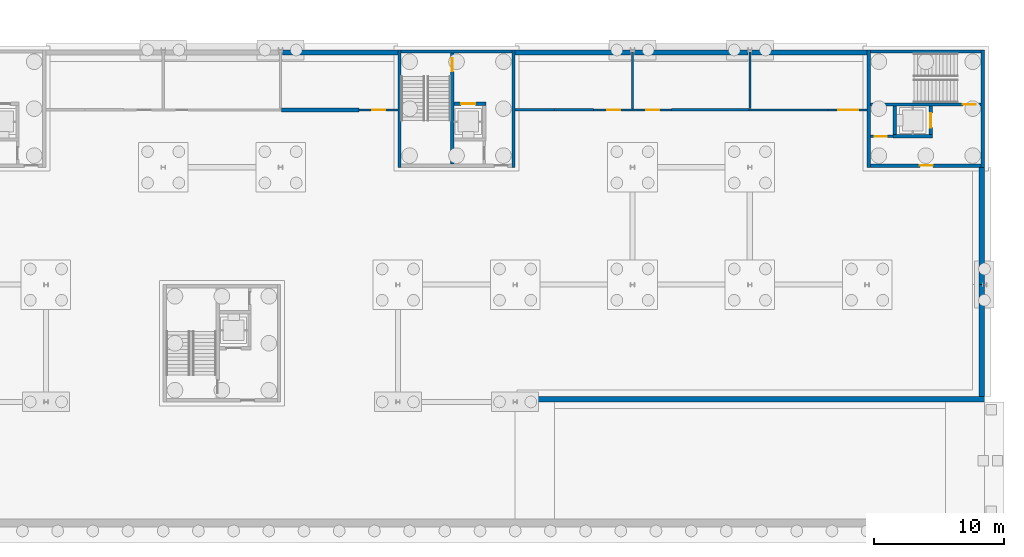
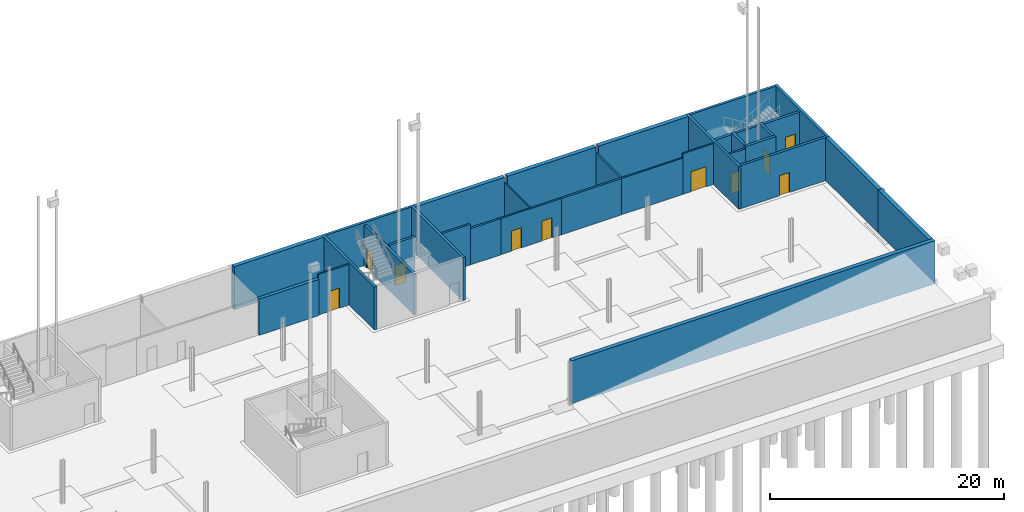
# One storey, part 18 of 41: 31 walls, 10 doors, 10 openings.
"""IFC4 building model written with IfcOpenShell, lengths in metres."""

from ifc_helpers import new_model, si_unit, direction, frame, frame_2d, origin, place, context, subcontext, project, spatial, rectangle, extrude, material, layer, layer_set, type_object, element, fill, save


model = new_model("IFC4")

# Units and contexts
model_context = context("Model", 3, precision=1e-05, world=origin(), true_north=direction((0.0, 1.0)))
body_context = subcontext(model_context, "Body", "Model", "MODEL_VIEW")
ifc_project = project(units=[si_unit("LENGTHUNIT", "METRE"), si_unit("AREAUNIT", "SQUARE_METRE"), si_unit("VOLUMEUNIT", "CUBIC_METRE"), si_unit("PLANEANGLEUNIT", "RADIAN"), si_unit("MASSUNIT", "GRAM", prefix="KILO")], contexts=[model_context])

# Site, building, storey
site_placement = place(None, origin())
site = spatial("IfcSite", under=ifc_project, at=site_placement, CompositionType="ELEMENT")
building_placement = place(site_placement, origin())
building = spatial("IfcBuilding", under=site, at=building_placement, Name="Corbel Yard City Hall", CompositionType="ELEMENT")
storey_placement = place(building_placement, frame((0.0, 0.0, -4.5)))
storey = spatial("IfcBuildingStorey", under=building, at=storey_placement, Name="B1", CompositionType="ELEMENT", Elevation=-4.5)

# Walls
ifc_material_1 = material(Name="Concrete N50 (50 MPa)", Category="concrete")
ifc_layer_1 = layer(ifc_material_1, 0.25)
ifc_layer_set_1 = layer_set([ifc_layer_1], Name="Concrete N50 (50 MPa)")
wall_type_1 = type_object("IfcWallType", Name="Core cell wall 250", PredefinedType="SHEAR", material=ifc_layer_set_1)
for number, where, z_axis, x_axis, name in (
    (1, (135.125, 108.0, 0.0), (0.0, 0.0, 1.0), (0.0, 1.0, 0.0), "Core PC-N3 west wall"),
    (2, (143.875, 108.0, 0.0), (0.0, 0.0, 1.0), (0.0, 1.0, 0.0), "Core PC-N3 east wall"),
):
    element("IfcWall", number, at=place(storey_placement, frame(where, z_axis=z_axis, x_axis=x_axis)), inside=storey, type_object=wall_type_1, Name=name, PredefinedType="SHEAR", context=body_context, shape_type="SweptSolid", body=[
        extrude(rectangle(XDim=9.0, YDim=0.25, at=frame_2d((4.5, 0.0))), origin(), (0.0, 0.0, 1.0), 4.5),
    ])
wall_1_placement = place(storey_placement, frame((135.25, 116.875, 0.0), z_axis=(0.0, 0.0, 1.0), x_axis=(1.0, 0.0, 0.0)))
element("IfcWall", 3, at=wall_1_placement, inside=storey, type_object=wall_type_1, Name="Core PC-N3 north wall", PredefinedType="SHEAR", context=body_context, shape_type="SweptSolid", body=[
    extrude(rectangle(XDim=8.5, YDim=0.25, at=frame_2d((4.25, 0.0))), origin(), (0.0, 0.0, 1.0), 4.5),
])
for number, where, z_axis, x_axis, name in (
    (4, (171.125, 108.0, 0.0), (0.0, 0.0, 1.0), (0.0, 1.0, 0.0), "Core PC-N4 west wall"),
    (5, (179.875, 108.0, 0.0), (0.0, 0.0, 1.0), (0.0, 1.0, 0.0), "Core PC-N4 east wall"),
):
    element("IfcWall", number, at=place(storey_placement, frame(where, z_axis=z_axis, x_axis=x_axis)), inside=storey, type_object=wall_type_1, Name=name, PredefinedType="SHEAR", context=body_context, shape_type="SweptSolid", body=[
        extrude(rectangle(XDim=9.0, YDim=0.25, at=frame_2d((4.5, 0.0))), origin(), (0.0, 0.0, 1.0), 4.5),
    ])

# Wall, opening, door
wall_2_placement = place(storey_placement, frame((171.25, 108.125, 0.0), z_axis=(0.0, 0.0, 1.0), x_axis=(1.0, 0.0, 0.0)))
wall_2 = element("IfcWall", 6, at=wall_2_placement, inside=storey, type_object=wall_type_1, Name="Core PC-N4 south wall", PredefinedType="SHEAR", context=body_context, shape_type="SweptSolid", body=[
    extrude(rectangle(XDim=8.5, YDim=0.25, at=frame_2d((4.25, 0.0))), origin(), (0.0, 0.0, 1.0), 4.5),
])
opening_1_placement = place(wall_2_placement, frame((3.800048828125, 0.0, 0.0)))
opening_1 = element("IfcOpeningElement", 7, at=opening_1_placement, cuts=wall_2, Name="Opening B1-022", PredefinedType="OPENING", context=body_context, shape_type="SweptSolid", body=[
    extrude(rectangle(XDim=1.0, YDim=2.10009765625, at=frame_2d((0.5, 1.050048828125))), frame((0.0, 0.135009765625, 0.0), z_axis=(0.0, -1.0, 0.0), x_axis=(1.0, 0.0, 0.0)), (0.0, 0.0, 1.0), 0.27001953125),
])
ifc_material_2 = material(Name="Steel Grade G250", Category="steel")
door_type_1 = type_object("IfcDoorType", Name="FS1", OperationType="SINGLE_SWING_LEFT", PredefinedType="DOOR", material=ifc_material_2)
door_1_placement = place(opening_1_placement, origin())
door_1 = element("IfcDoor", 8, at=door_1_placement, inside=storey, type_object=door_type_1, Name="Door Lift Lobby", OperationType="SINGLE_SWING_RIGHT", OverallHeight=2.10009765625, OverallWidth=1.0, PredefinedType="DOOR", context=body_context, shape_type="SweptSolid", body=[
    extrude(rectangle(XDim=1.0, YDim=2.10009765625, at=frame_2d((0.5, 1.050048828125))), frame((0.0, 0.02490234375, 0.0), z_axis=(0.0, -1.0, 0.0), x_axis=(1.0, 0.0, 0.0)), (0.0, 0.0, 1.0), 0.050048828125),
])
fill(opening_1, door_1)

# Wall
wall_3_placement = place(storey_placement, frame((171.25, 116.875, 0.0), z_axis=(0.0, 0.0, 1.0), x_axis=(1.0, 0.0, 0.0)))
element("IfcWall", 9, at=wall_3_placement, inside=storey, type_object=wall_type_1, Name="Core PC-N4 north wall", PredefinedType="SHEAR", context=body_context, shape_type="SweptSolid", body=[
    extrude(rectangle(XDim=8.5, YDim=0.25, at=frame_2d((4.25, 0.0))), origin(), (0.0, 0.0, 1.0), 4.5),
])

# Wall, opening, door
ifc_material_3 = material(Name="Concrete N40 (40 MPa)", Category="concrete")
ifc_layer_2 = layer(ifc_material_3, 0.25)
ifc_layer_set_2 = layer_set([ifc_layer_2], Name="Concrete N40 (40 MPa)")
wall_type_2 = type_object("IfcWallType", Name="IW2", PredefinedType="SOLIDWALL", material=ifc_layer_set_2)
wall_4_placement = place(storey_placement, frame((139.175048828125, 116.75, 0.0), z_axis=(0.0, 0.0, 1.0), x_axis=(0.0, -1.0, 0.0)))
wall_4 = element("IfcWall", 10, at=wall_4_placement, inside=storey, type_object=wall_type_2, Name="Stair enclosure wall", PredefinedType="SOLIDWALL", context=body_context, shape_type="SweptSolid", body=[
    extrude(rectangle(XDim=8.5, YDim=0.25, at=frame_2d((4.25, 0.0))), origin(), (0.0, 0.0, 1.0), 4.25),
])
opening_2_placement = place(wall_4_placement, frame((0.39990234375, 0.0, 0.0)))
opening_2 = element("IfcOpeningElement", 11, at=opening_2_placement, cuts=wall_4, Name="Opening B1-011", PredefinedType="OPENING", context=body_context, shape_type="SweptSolid", body=[
    extrude(rectangle(XDim=1.0, YDim=2.10009765625, at=frame_2d((0.5, 1.050048828125))), frame((0.0, 0.135009765625, 0.0), z_axis=(0.0, -1.0, 0.0), x_axis=(1.0, 0.0, 0.0)), (0.0, 0.0, 1.0), 0.27001953125),
])
door_2_placement = place(opening_2_placement, frame((1.0, 0.0, 0.0), z_axis=(0.0, 0.0, 1.0), x_axis=(-1.0, 0.0, 0.0)))
door_2 = element("IfcDoor", 12, at=door_2_placement, inside=storey, type_object=door_type_1, Name="Door Exit Stair 18", OperationType="SINGLE_SWING_RIGHT", OverallHeight=2.10009765625, OverallWidth=1.0, PredefinedType="DOOR", context=body_context, shape_type="SweptSolid", body=[
    extrude(rectangle(XDim=1.0, YDim=2.10009765625, at=frame_2d((0.5, 1.050048828125))), frame((0.0, 0.02490234375, 0.0), z_axis=(0.0, -1.0, 0.0), x_axis=(1.0, 0.0, 0.0)), (0.0, 0.0, 1.0), 0.050048828125),
])
fill(opening_2, door_2)

wall_5_placement = place(storey_placement, frame((139.300048828125, 112.875, 0.0), z_axis=(0.0, 0.0, 1.0), x_axis=(1.0, 0.0, 0.0)))
wall_5 = element("IfcWall", 13, at=wall_5_placement, inside=storey, type_object=wall_type_2, Name="Lift LP18 shaft wall", PredefinedType="SOLIDWALL", context=body_context, shape_type="SweptSolid", body=[
    extrude(rectangle(XDim=2.449951171875, YDim=0.25, at=frame_2d((1.22509765625, 0.0))), origin(), (0.0, 0.0, 1.0), 4.5),
])
opening_3_placement = place(wall_5_placement, frame((0.550048828125, 0.0, 0.0)))
opening_3 = element("IfcOpeningElement", 14, at=opening_3_placement, cuts=wall_5, Name="Opening B1-003", PredefinedType="OPENING", context=body_context, shape_type="SweptSolid", body=[
    extrude(rectangle(XDim=1.10009765625, YDim=2.10009765625, at=frame_2d((0.550048828125, 1.050048828125))), frame((0.0, 0.135009765625, 0.0), z_axis=(0.0, -1.0, 0.0), x_axis=(1.0, 0.0, 0.0)), (0.0, 0.0, 1.0), 0.27001953125),
])
ifc_material_4 = material(Name="Stainless steel Grade 316", Category="steel")
door_type_2 = type_object("IfcDoorType", Name="LD1", OperationType="DOUBLE_DOOR_SLIDING", PredefinedType="DOOR", material=ifc_material_4)
door_3_placement = place(opening_3_placement, origin())
door_3 = element("IfcDoor", 15, at=door_3_placement, inside=storey, type_object=door_type_2, Name="Lift LP18 landing door", OperationType="DOUBLE_DOOR_SLIDING", OverallHeight=2.10009765625, OverallWidth=1.10009765625, PredefinedType="DOOR", context=body_context, shape_type="SweptSolid", body=[
    extrude(rectangle(XDim=1.10009765625, YDim=2.10009765625, at=frame_2d((0.550048828125, 1.050048828125))), frame((0.0, 0.02490234375, 0.0), z_axis=(0.0, -1.0, 0.0), x_axis=(1.0, 0.0, 0.0)), (0.0, 0.0, 1.0), 0.050048828125),
])
fill(opening_3, door_3)

wall_6_placement = place(storey_placement, frame((179.75, 112.824951171875, 0.0), z_axis=(0.0, 0.0, 1.0), x_axis=(-1.0, 0.0, 0.0)))
wall_6 = element("IfcWall", 16, at=wall_6_placement, inside=storey, type_object=wall_type_2, Name="Stair enclosure wall", PredefinedType="SOLIDWALL", context=body_context, shape_type="SweptSolid", body=[
    extrude(rectangle(XDim=8.5, YDim=0.25, at=frame_2d((4.25, 0.0))), origin(), (0.0, 0.0, 1.0), 4.25),
])
opening_4_placement = place(wall_6_placement, frame((0.39990234375, 0.0, 0.0)))
opening_4 = element("IfcOpeningElement", 17, at=opening_4_placement, cuts=wall_6, Name="Opening B1-013", PredefinedType="OPENING", context=body_context, shape_type="SweptSolid", body=[
    extrude(rectangle(XDim=1.0, YDim=2.10009765625, at=frame_2d((0.5, 1.050048828125))), frame((0.0, 0.135009765625, 0.0), z_axis=(0.0, -1.0, 0.0), x_axis=(1.0, 0.0, 0.0)), (0.0, 0.0, 1.0), 0.27001953125),
])
door_4_placement = place(opening_4_placement, frame((1.0, 0.0, 0.0), z_axis=(0.0, 0.0, 1.0), x_axis=(-1.0, 0.0, 0.0)))
door_4 = element("IfcDoor", 18, at=door_4_placement, inside=storey, type_object=door_type_1, Name="Door Exit Stair 19", OperationType="SINGLE_SWING_RIGHT", OverallHeight=2.10009765625, OverallWidth=1.0, PredefinedType="DOOR", context=body_context, shape_type="SweptSolid", body=[
    extrude(rectangle(XDim=1.0, YDim=2.10009765625, at=frame_2d((0.5, 1.050048828125))), frame((0.0, 0.02490234375, 0.0), z_axis=(0.0, -1.0, 0.0), x_axis=(1.0, 0.0, 0.0)), (0.0, 0.0, 1.0), 0.050048828125),
])
fill(opening_4, door_4)

# Walls
wall_7_placement = place(storey_placement, frame((173.0, 110.375, 0.0), z_axis=(0.0, 0.0, 1.0), x_axis=(1.0, 0.0, 0.0)))
element("IfcWall", 19, at=wall_7_placement, inside=storey, type_object=wall_type_2, Name="Lift LP19 shaft wall", PredefinedType="SOLIDWALL", context=body_context, shape_type="SweptSolid", body=[
    extrude(rectangle(XDim=3.0, YDim=0.25, at=frame_2d((1.5, 0.0))), origin(), (0.0, 0.0, 1.0), 4.5),
])
wall_8_placement = place(storey_placement, frame((173.125, 110.5, 0.0), z_axis=(0.0, 0.0, 1.0), x_axis=(0.0, 1.0, 0.0)))
element("IfcWall", 20, at=wall_8_placement, inside=storey, type_object=wall_type_2, Name="Lift LP19 shaft wall", PredefinedType="SOLIDWALL", context=body_context, shape_type="SweptSolid", body=[
    extrude(rectangle(XDim=2.199951171875, YDim=0.25, at=frame_2d((1.10009765625, 0.0))), origin(), (0.0, 0.0, 1.0), 4.5),
])

# Wall, opening, door
wall_9_placement = place(storey_placement, frame((175.875, 110.5, 0.0), z_axis=(0.0, 0.0, 1.0), x_axis=(0.0, 1.0, 0.0)))
wall_9 = element("IfcWall", 21, at=wall_9_placement, inside=storey, type_object=wall_type_2, Name="Lift LP19 shaft wall", PredefinedType="SOLIDWALL", context=body_context, shape_type="SweptSolid", body=[
    extrude(rectangle(XDim=2.199951171875, YDim=0.25, at=frame_2d((1.10009765625, 0.0))), origin(), (0.0, 0.0, 1.0), 4.5),
])
opening_5_placement = place(wall_9_placement, frame((0.550048828125, 0.0, 0.0)))
opening_5 = element("IfcOpeningElement", 22, at=opening_5_placement, cuts=wall_9, Name="Opening B1-004", PredefinedType="OPENING", context=body_context, shape_type="SweptSolid", body=[
    extrude(rectangle(XDim=1.10009765625, YDim=2.10009765625, at=frame_2d((0.550048828125, 1.050048828125))), frame((0.0, 0.135009765625, 0.0), z_axis=(0.0, -1.0, 0.0), x_axis=(1.0, 0.0, 0.0)), (0.0, 0.0, 1.0), 0.27001953125),
])
door_5_placement = place(opening_5_placement, origin())
door_5 = element("IfcDoor", 23, at=door_5_placement, inside=storey, type_object=door_type_2, Name="Lift LP19 landing door", OperationType="DOUBLE_DOOR_SLIDING", OverallHeight=2.10009765625, OverallWidth=1.10009765625, PredefinedType="DOOR", context=body_context, shape_type="SweptSolid", body=[
    extrude(rectangle(XDim=1.10009765625, YDim=2.10009765625, at=frame_2d((0.550048828125, 1.050048828125))), frame((0.0, 0.02490234375, 0.0), z_axis=(0.0, -1.0, 0.0), x_axis=(1.0, 0.0, 0.0)), (0.0, 0.0, 1.0), 0.050048828125),
])
fill(opening_5, door_5)

# Walls
ifc_material_5 = material(Name="Gypsum plasterboard", Category="gypsum")
ifc_layer_3 = layer(ifc_material_5, 0.028076171875)
ifc_material_6 = material(Name="Steel Grade G550 (550 MPa yield)", Category="steel")
ifc_layer_4 = layer(ifc_material_6, 0.06396484375)
ifc_layer_5 = layer(ifc_material_5, 0.028076171875)
ifc_layer_set_3 = layer_set([ifc_layer_3, ifc_layer_4, ifc_layer_5], Name="Steel Grade G550 (550 MPa yield)")
wall_type_3 = type_object("IfcWallType", Name="PT1", PredefinedType="PARTITIONING", material=ifc_layer_set_3)
wall_10_placement = place(storey_placement, frame((153.0, 112.47998046875, 0.0), z_axis=(0.0, 0.0, 1.0), x_axis=(0.0, 1.0, 0.0)))
element("IfcWall", 24, at=wall_10_placement, inside=storey, type_object=wall_type_3, Name="Partition", PredefinedType="PARTITIONING", context=body_context, shape_type="SweptSolid", body=[
    extrude(rectangle(XDim=4.3564453125, YDim=0.1201171875, at=frame_2d((2.17822265625, 0.0))), origin(), (0.0, 0.0, 1.0), 3.7900390625),
])
ifc_layer_6 = layer(ifc_material_5, 0.031982421875)
ifc_layer_7 = layer(ifc_material_6, 0.135986328125)
ifc_layer_8 = layer(ifc_material_5, 0.031982421875)
ifc_layer_set_4 = layer_set([ifc_layer_6, ifc_layer_7, ifc_layer_8], Name="Steel Grade G550 (550 MPa yield)")
wall_type_4 = type_object("IfcWallType", Name="PT2", PredefinedType="PARTITIONING", material=ifc_layer_set_4)
wall_11_placement = place(storey_placement, frame((144.0, 112.39990234375, 0.0), z_axis=(0.0, 0.0, 1.0), x_axis=(1.0, 0.0, 0.0)))
element("IfcWall", 25, at=wall_11_placement, inside=storey, type_object=wall_type_4, Name="Acoustic wall", PredefinedType="PARTITIONING", context=body_context, shape_type="SweptSolid", body=[
    extrude(rectangle(XDim=3.0, YDim=0.199951171875, at=frame_2d((1.5, 0.0))), origin(), (0.0, 0.0, 1.0), 4.25),
])
wall_12_placement = place(storey_placement, frame((147.0, 112.39990234375, 0.0), z_axis=(0.0, 0.0, 1.0), x_axis=(1.0, 0.0, 0.0)))
element("IfcWall", 26, at=wall_12_placement, inside=storey, type_object=wall_type_4, Name="Acoustic wall", PredefinedType="PARTITIONING", context=body_context, shape_type="SweptSolid", body=[
    extrude(rectangle(XDim=3.0, YDim=0.199951171875, at=frame_2d((1.5, 0.0))), origin(), (0.0, 0.0, 1.0), 3.7900390625),
])
wall_13_placement = place(storey_placement, frame((156.0, 112.39990234375, 0.0), z_axis=(0.0, 0.0, 1.0), x_axis=(1.0, 0.0, 0.0)))
element("IfcWall", 27, at=wall_13_placement, inside=storey, type_object=wall_type_4, Name="Acoustic wall", PredefinedType="PARTITIONING", context=body_context, shape_type="SweptSolid", body=[
    extrude(rectangle(XDim=5.919921875, YDim=0.199951171875, at=frame_2d((2.9599609375, 0.0))), origin(), (0.0, 0.0, 1.0), 3.7900390625),
])
ifc_layer_9 = layer(ifc_material_5, 0.031982421875)
ifc_layer_10 = layer(ifc_material_6, 0.260986328125)
ifc_layer_11 = layer(ifc_material_5, 0.031982421875)
ifc_layer_set_5 = layer_set([ifc_layer_9, ifc_layer_10, ifc_layer_11], Name="Steel Grade G550 (550 MPa yield)")
wall_type_5 = type_object("IfcWallType", Name="PT20", PredefinedType="PARTITIONING", material=ifc_layer_set_5)
wall_14_placement = place(storey_placement, frame((126.080078125, 112.39990234375, 0.0), z_axis=(0.0, 0.0, 1.0), x_axis=(1.0, 0.0, 0.0)))
element("IfcWall", 28, at=wall_14_placement, inside=storey, type_object=wall_type_5, Name="Acoustic partition", PredefinedType="PARTITIONING", context=body_context, shape_type="SweptSolid", body=[
    extrude(rectangle(XDim=5.919921875, YDim=0.324951171875, at=frame_2d((2.9599609375, 0.0))), origin(), (0.0, 0.0, 1.0), 3.7900390625),
])

# Wall, opening, door
ifc_layer_12 = layer(ifc_material_5, 0.031982421875)
ifc_layer_13 = layer(ifc_material_6, 0.095947265625)
ifc_layer_14 = layer(ifc_material_5, 0.031982421875)
ifc_layer_set_6 = layer_set([ifc_layer_12, ifc_layer_13, ifc_layer_14], Name="Steel Grade G550 (550 MPa yield)")
wall_type_6 = type_object("IfcWallType", Name="PT3", PredefinedType="PARTITIONING", material=ifc_layer_set_6)
wall_15_placement = place(storey_placement, frame((132.0, 112.39990234375, 0.0), z_axis=(0.0, 0.0, 1.0), x_axis=(1.0, 0.0, 0.0)))
wall_15 = element("IfcWall", 29, at=wall_15_placement, inside=storey, type_object=wall_type_6, Name="Fire-resisting wall", PredefinedType="PARTITIONING", context=body_context, shape_type="SweptSolid", body=[
    extrude(rectangle(XDim=3.0, YDim=0.159912109375, at=frame_2d((1.5, 0.0))), origin(), (0.0, 0.0, 1.0), 4.25),
])
opening_6_placement = place(wall_15_placement, frame((1.050048828125, 0.0, 0.0)))
opening_6 = element("IfcOpeningElement", 30, at=opening_6_placement, cuts=wall_15, Name="Opening B1-045", PredefinedType="OPENING", context=body_context, shape_type="SweptSolid", body=[
    extrude(rectangle(XDim=1.0, YDim=2.10009765625, at=frame_2d((0.5, 1.050048828125))), frame((0.0, 0.08984375, 0.0), z_axis=(0.0, -1.0, 0.0), x_axis=(1.0, 0.0, 0.0)), (0.0, 0.0, 1.0), 0.179931640625),
])
door_type_3 = type_object("IfcDoorType", Name="FD1", OperationType="SINGLE_SWING_LEFT", PredefinedType="DOOR", material=ifc_material_2)
door_6_placement = place(opening_6_placement, origin())
door_6 = element("IfcDoor", 31, at=door_6_placement, inside=storey, type_object=door_type_3, Name="Door Basement Operations Office", OperationType="SINGLE_SWING_RIGHT", OverallHeight=2.10009765625, OverallWidth=1.0, PredefinedType="DOOR", context=body_context, shape_type="SweptSolid", body=[
    extrude(rectangle(XDim=1.0, YDim=2.10009765625, at=frame_2d((0.5, 1.050048828125))), frame((0.0, 0.02490234375, 0.0), z_axis=(0.0, -1.0, 0.0), x_axis=(1.0, 0.0, 0.0)), (0.0, 0.0, 1.0), 0.050048828125),
])
fill(opening_6, door_6)

# Wall, openings, doors
wall_16_placement = place(storey_placement, frame((150.0, 112.39990234375, 0.0), z_axis=(0.0, 0.0, 1.0), x_axis=(1.0, 0.0, 0.0)))
wall_16 = element("IfcWall", 32, at=wall_16_placement, inside=storey, type_object=wall_type_6, Name="Fire-resisting wall", PredefinedType="PARTITIONING", context=body_context, shape_type="SweptSolid", body=[
    extrude(rectangle(XDim=6.0, YDim=0.159912109375, at=frame_2d((3.0, 0.0))), origin(), (0.0, 0.0, 1.0), 3.7900390625),
])
opening_7_placement = place(wall_16_placement, frame((1.050048828125, 0.0, 0.0)))
opening_7 = element("IfcOpeningElement", 33, at=opening_7_placement, cuts=wall_16, Name="Opening B1-046", PredefinedType="OPENING", context=body_context, shape_type="SweptSolid", body=[
    extrude(rectangle(XDim=1.0, YDim=2.10009765625, at=frame_2d((0.5, 1.050048828125))), frame((0.0, 0.08984375, 0.0), z_axis=(0.0, -1.0, 0.0), x_axis=(1.0, 0.0, 0.0)), (0.0, 0.0, 1.0), 0.179931640625),
])
opening_8_placement = place(wall_16_placement, frame((4.050048828125, 0.0, 0.0)))
opening_8 = element("IfcOpeningElement", 34, at=opening_8_placement, cuts=wall_16, Name="Opening B1-047", PredefinedType="OPENING", context=body_context, shape_type="SweptSolid", body=[
    extrude(rectangle(XDim=1.0, YDim=2.10009765625, at=frame_2d((0.5, 1.050048828125))), frame((0.0, 0.08984375, 0.0), z_axis=(0.0, -1.0, 0.0), x_axis=(1.0, 0.0, 0.0)), (0.0, 0.0, 1.0), 0.179931640625),
])
door_7_placement = place(opening_7_placement, origin())
door_7 = element("IfcDoor", 35, at=door_7_placement, inside=storey, type_object=door_type_3, Name="Door Electrical Meter Room", OperationType="SINGLE_SWING_RIGHT", OverallHeight=2.10009765625, OverallWidth=1.0, PredefinedType="DOOR", context=body_context, shape_type="SweptSolid", body=[
    extrude(rectangle(XDim=1.0, YDim=2.10009765625, at=frame_2d((0.5, 1.050048828125))), frame((0.0, 0.02490234375, 0.0), z_axis=(0.0, -1.0, 0.0), x_axis=(1.0, 0.0, 0.0)), (0.0, 0.0, 1.0), 0.050048828125),
])
fill(opening_7, door_7)
door_8_placement = place(opening_8_placement, origin())
door_8 = element("IfcDoor", 36, at=door_8_placement, inside=storey, type_object=door_type_3, Name="Door Basement Waste Room", OperationType="SINGLE_SWING_LEFT", OverallHeight=2.10009765625, OverallWidth=1.0, PredefinedType="DOOR", context=body_context, shape_type="SweptSolid", body=[
    extrude(rectangle(XDim=1.0, YDim=2.10009765625, at=frame_2d((0.5, 1.050048828125))), frame((0.0, 0.02490234375, 0.0), z_axis=(0.0, -1.0, 0.0), x_axis=(1.0, 0.0, 0.0)), (0.0, 0.0, 1.0), 0.050048828125),
])
fill(opening_8, door_8)

# Wall
wall_17_placement = place(storey_placement, frame((161.919921875, 112.39990234375, 0.0), z_axis=(0.0, 0.0, 1.0), x_axis=(1.0, 0.0, 0.0)))
element("IfcWall", 37, at=wall_17_placement, inside=storey, type_object=wall_type_6, Name="Fire-resisting wall", PredefinedType="PARTITIONING", context=body_context, shape_type="SweptSolid", body=[
    extrude(rectangle(XDim=6.080078125, YDim=0.159912109375, at=frame_2d((3.0400390625, 0.0))), origin(), (0.0, 0.0, 1.0), 3.7900390625),
])

# Wall, opening, door
wall_18_placement = place(storey_placement, frame((168.0, 112.39990234375, 0.0), z_axis=(0.0, 0.0, 1.0), x_axis=(1.0, 0.0, 0.0)))
wall_18 = element("IfcWall", 38, at=wall_18_placement, inside=storey, type_object=wall_type_6, Name="Fire-resisting wall", PredefinedType="PARTITIONING", context=body_context, shape_type="SweptSolid", body=[
    extrude(rectangle(XDim=3.0, YDim=0.159912109375, at=frame_2d((1.5, 0.0))), origin(), (0.0, 0.0, 1.0), 4.25),
])
opening_9_placement = place(wall_18_placement, frame((0.800048828125, 0.0, 0.0)))
opening_9 = element("IfcOpeningElement", 39, at=opening_9_placement, cuts=wall_18, Name="Opening B1-048", PredefinedType="OPENING", context=body_context, shape_type="SweptSolid", body=[
    extrude(rectangle(XDim=1.5, YDim=2.10009765625, at=frame_2d((0.75, 1.050048828125))), frame((0.0, 0.08984375, 0.0), z_axis=(0.0, -1.0, 0.0), x_axis=(1.0, 0.0, 0.0)), (0.0, 0.0, 1.0), 0.179931640625),
])
door_type_4 = type_object("IfcDoorType", Name="FD34", OperationType="DOUBLE_DOOR_SINGLE_SWING", PredefinedType="DOOR", material=ifc_material_2)
door_9_placement = place(opening_9_placement, origin())
door_9 = element("IfcDoor", 40, at=door_9_placement, inside=storey, type_object=door_type_4, Name="Door Cycle Store 2", OperationType="DOUBLE_DOOR_SINGLE_SWING", OverallHeight=2.10009765625, OverallWidth=1.5, PredefinedType="DOOR", context=body_context, shape_type="SweptSolid", body=[
    extrude(rectangle(XDim=1.5, YDim=2.10009765625, at=frame_2d((0.75, 1.050048828125))), frame((0.0, 0.02490234375, 0.0), z_axis=(0.0, -1.0, 0.0), x_axis=(1.0, 0.0, 0.0)), (0.0, 0.0, 1.0), 0.050048828125),
])
fill(opening_9, door_9)

# Wall
wall_19_placement = place(storey_placement, frame((162.0, 112.5, 0.0), z_axis=(0.0, 0.0, 1.0), x_axis=(0.0, 1.0, 0.0)))
element("IfcWall", 41, at=wall_19_placement, inside=storey, type_object=wall_type_6, Name="Fire-resisting wall", PredefinedType="PARTITIONING", context=body_context, shape_type="SweptSolid", body=[
    extrude(rectangle(XDim=4.33642578125, YDim=0.159912109375, at=frame_2d((2.168212890625, 0.0))), origin(), (0.0, 0.0, 1.0), 3.7900390625),
])

# Wall, opening, door
ifc_material_7 = material(Name="Concrete block", Category="concrete")
ifc_layer_15 = layer(ifc_material_7, 0.18994140625)
ifc_layer_set_7 = layer_set([ifc_layer_15], Name="Concrete block")
wall_type_7 = type_object("IfcWallType", Name="PT4", PredefinedType="PARTITIONING", material=ifc_layer_set_7)
wall_20_placement = place(storey_placement, frame((171.25, 110.375, 0.0), z_axis=(0.0, 0.0, 1.0), x_axis=(1.0, 0.0, 0.0)))
wall_20 = element("IfcWall", 42, at=wall_20_placement, inside=storey, type_object=wall_type_7, Name="Fire-resisting block wall", PredefinedType="PARTITIONING", context=body_context, shape_type="SweptSolid", body=[
    extrude(rectangle(XDim=1.75, YDim=0.18994140625, at=frame_2d((0.875, 0.0))), origin(), (0.0, 0.0, 1.0), 4.25),
])
opening_10_placement = place(wall_20_placement, frame((0.3525390625, 0.0, 0.0)))
opening_10 = element("IfcOpeningElement", 43, at=opening_10_placement, cuts=wall_20, Name="Opening B1-014", PredefinedType="OPENING", context=body_context, shape_type="SweptSolid", body=[
    extrude(rectangle(XDim=0.919921875, YDim=2.10009765625, at=frame_2d((0.4599609375, 1.050048828125))), frame((0.0, 0.10498046875, 0.0), z_axis=(0.0, -1.0, 0.0), x_axis=(1.0, 0.0, 0.0)), (0.0, 0.0, 1.0), 0.2099609375),
])
door_type_5 = type_object("IfcDoorType", Name="FS5", OperationType="SINGLE_SWING_RIGHT", PredefinedType="DOOR", material=ifc_material_2)
door_10_placement = place(opening_10_placement, origin())
door_10 = element("IfcDoor", 44, at=door_10_placement, inside=storey, type_object=door_type_5, Name="Door Service Riser", OperationType="SINGLE_SWING_LEFT", OverallHeight=2.10009765625, OverallWidth=0.919921875, PredefinedType="DOOR", context=body_context, shape_type="SweptSolid", body=[
    extrude(rectangle(XDim=0.919921875, YDim=2.10009765625, at=frame_2d((0.4599609375, 1.050048828125))), frame((0.0, 0.02490234375, 0.0), z_axis=(0.0, -1.0, 0.0), x_axis=(1.0, 0.0, 0.0)), (0.0, 0.0, 1.0), 0.050048828125),
])
fill(opening_10, door_10)

# Walls
ifc_layer_16 = layer(ifc_material_3, 0.39990234375)
ifc_layer_set_8 = layer_set([ifc_layer_16], Name="Concrete N40 (40 MPa)")
wall_type_8 = type_object("IfcWallType", Name="Retaining wall 400", PredefinedType="SOLIDWALL", material=ifc_layer_set_8)
wall_21_placement = place(storey_placement, frame((144.138427734375, 90.199951171875, 0.0), z_axis=(0.0, 0.0, 1.0), x_axis=(1.0, 0.0, 0.0)))
element("IfcWall", 45, at=wall_21_placement, inside=storey, type_object=wall_type_8, Name="Retaining wall RET-TR-1", PredefinedType="SOLIDWALL", context=body_context, shape_type="SweptSolid", body=[
    extrude(rectangle(XDim=35.861572265625, YDim=0.39990234375, at=frame_2d((17.9306640625, 0.0))), origin(), (0.0, 0.0, 1.0), 4.5),
])
for number, where, z_axis, x_axis, name in (
    (46, (126.138427734375, 116.800048828125, 0.0), (0.0, 0.0, 1.0), (1.0, 0.0, 0.0), "Retaining wall RET-N4-3"),
    (47, (144.0, 116.800048828125, 0.0), (0.0, 0.0, 1.0), (1.0, 0.0, 0.0), "Retaining wall RET-N5-1"),
):
    element("IfcWall", number, at=place(storey_placement, frame(where, z_axis=z_axis, x_axis=x_axis)), inside=storey, type_object=wall_type_8, Name=name, PredefinedType="SOLIDWALL", context=body_context, shape_type="SweptSolid", body=[
        extrude(rectangle(XDim=8.861572265625, YDim=0.39990234375, at=frame_2d((4.4306640625, 0.0))), origin(), (0.0, 0.0, 1.0), 4.5),
    ])
wall_22_placement = place(storey_placement, frame((153.138427734375, 116.800048828125, 0.0), z_axis=(0.0, 0.0, 1.0), x_axis=(1.0, 0.0, 0.0)))
element("IfcWall", 48, at=wall_22_placement, inside=storey, type_object=wall_type_8, Name="Retaining wall RET-N5-2", PredefinedType="SOLIDWALL", context=body_context, shape_type="SweptSolid", body=[
    extrude(rectangle(XDim=8.72314453125, YDim=0.39990234375, at=frame_2d((4.361572265625, 0.0))), origin(), (0.0, 0.0, 1.0), 4.5),
])
wall_23_placement = place(storey_placement, frame((162.138427734375, 116.800048828125, 0.0), z_axis=(0.0, 0.0, 1.0), x_axis=(1.0, 0.0, 0.0)))
element("IfcWall", 49, at=wall_23_placement, inside=storey, type_object=wall_type_8, Name="Retaining wall RET-N5-3", PredefinedType="SOLIDWALL", context=body_context, shape_type="SweptSolid", body=[
    extrude(rectangle(XDim=8.861572265625, YDim=0.39990234375, at=frame_2d((4.4306640625, 0.0))), origin(), (0.0, 0.0, 1.0), 4.5),
])
wall_24_placement = place(storey_placement, frame((179.800048828125, 90.39990234375, 0.0), z_axis=(0.0, 0.0, 1.0), x_axis=(0.0, 1.0, 0.0)))
element("IfcWall", 50, at=wall_24_placement, inside=storey, type_object=wall_type_8, Name="Retaining wall RET-E1-1", PredefinedType="SOLIDWALL", context=body_context, shape_type="SweptSolid", body=[
    extrude(rectangle(XDim=8.59228515625, YDim=0.39990234375, at=frame_2d((4.296142578125, 0.0))), origin(), (0.0, 0.0, 1.0), 4.5),
])
wall_25_placement = place(storey_placement, frame((179.800048828125, 99.0078125, 0.0), z_axis=(0.0, 0.0, 1.0), x_axis=(0.0, 1.0, 0.0)))
element("IfcWall", 51, at=wall_25_placement, inside=storey, type_object=wall_type_8, Name="Retaining wall RET-E1-2", PredefinedType="SOLIDWALL", context=body_context, shape_type="SweptSolid", body=[
    extrude(rectangle(XDim=8.9921875, YDim=0.39990234375, at=frame_2d((4.49609375, 0.0))), origin(), (0.0, 0.0, 1.0), 4.5),
])

save(model, "model.ifc")
